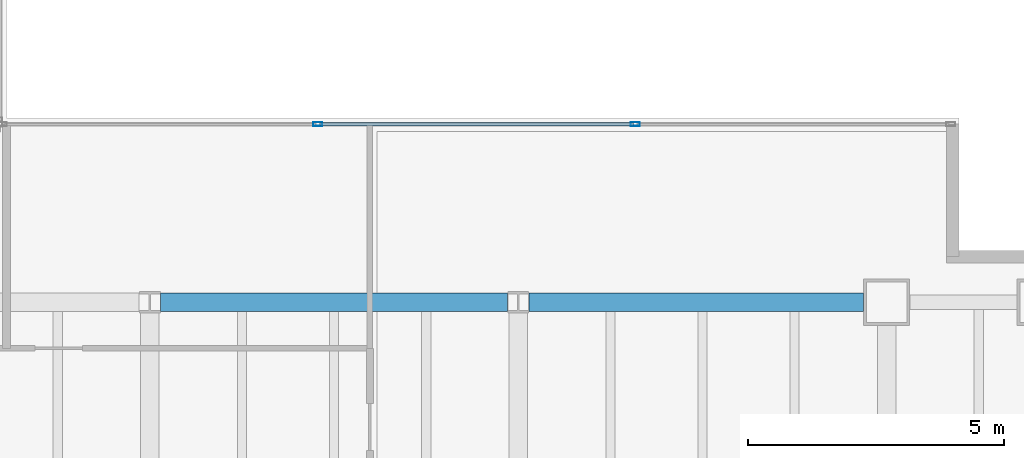
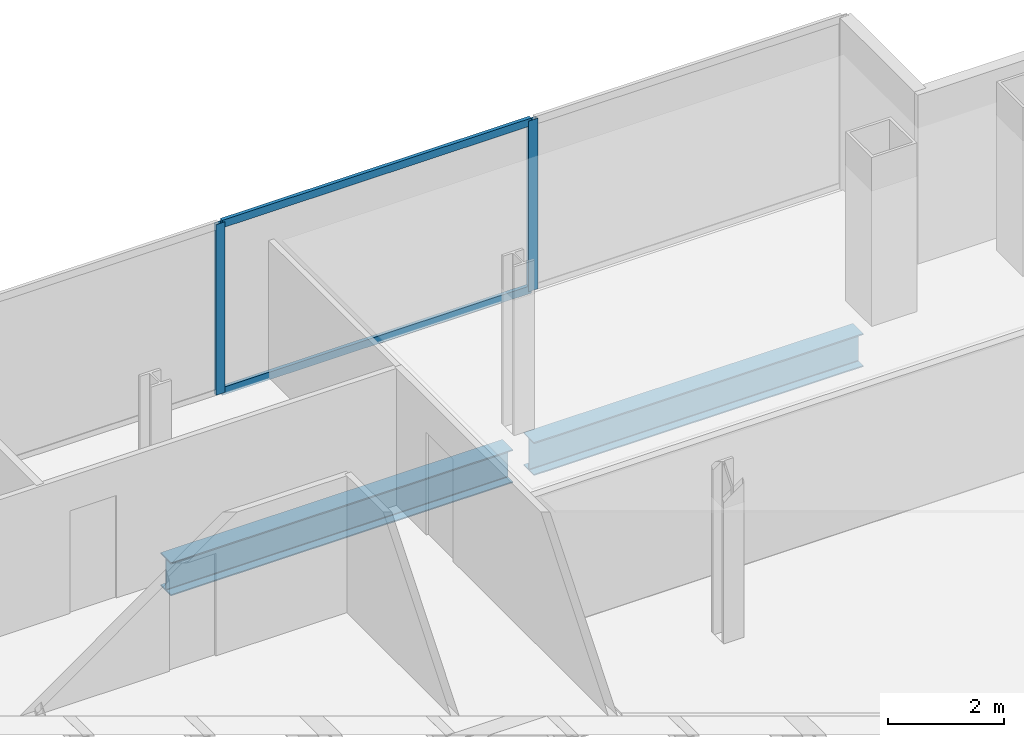
# One storey, part 14 of 23: 4 members, 2 beams, 1 element without a shape of its own.
"""IFC4 building model written with IfcOpenShell, lengths in metres."""

from ifc_helpers import new_model, si_unit, direction, frame, origin, origin_2d, place, context, subcontext, project, spatial, hollow_rectangle, i_section, extrude, material, material_profile, profile_set, type_object, element, aggregate, save


model = new_model("IFC4")

# Units and contexts
model_context = context("Model", 3, precision=1e-05, world=origin(), true_north=direction((0.0, 1.0)))
body_context = subcontext(model_context, "Body", "Model", "MODEL_VIEW")
ifc_project = project(units=[si_unit("LENGTHUNIT", "METRE"), si_unit("AREAUNIT", "SQUARE_METRE"), si_unit("VOLUMEUNIT", "CUBIC_METRE"), si_unit("PLANEANGLEUNIT", "RADIAN"), si_unit("MASSUNIT", "GRAM", prefix="KILO")], contexts=[model_context])

# Site, building, storey
site_placement = place(None, origin())
site = spatial("IfcSite", under=ifc_project, at=site_placement, CompositionType="ELEMENT")
building_placement = place(site_placement, origin())
building = spatial("IfcBuilding", under=site, at=building_placement, Name="Cobrela Telecom Tower", CompositionType="ELEMENT")
storey_placement = place(building_placement, frame((0.0, 0.0, 140.699951171875)))
storey = spatial("IfcBuildingStorey", under=building, at=storey_placement, Name="L35", CompositionType="ELEMENT", Elevation=140.699951171875)

# Beams
ifc_material_1 = material(Name="Steel ASTM A992 Grade 50", Category="steel")
ifc_material_profile_1 = material_profile(ifc_material_1, i_section(OverallWidth=0.35595703125, OverallDepth=0.696044921875, WebThickness=0.015380859375, FlangeThickness=0.024658203125, FilletRadius=0.01806640625, at=origin_2d()), Name="W27X146")
ifc_profile_set_1 = profile_set([ifc_material_profile_1], Name="Steel ASTM A992 Grade 50")
beam_type = type_object("IfcBeamType", Name="BM-GIRD-05", PredefinedType="USERDEFINED", material=ifc_profile_set_1)
beam_1_placement = place(storey_placement, frame((29.009521484375, 21.60009765625, -0.617919921875), z_axis=(1.0, 0.0, 0.0), x_axis=(0.0, 1.0, 0.0)))
element("IfcBeam", 1, at=beam_1_placement, inside=storey, type_object=beam_type, Name="L35 Primary Girder X20", ObjectType="GIRDER", PredefinedType="USERDEFINED", context=body_context, shape_type="SweptSolid", body=[
    extrude(i_section(OverallWidth=0.35595703125, OverallDepth=0.696044921875, WebThickness=0.015380859375, FlangeThickness=0.024658203125, FilletRadius=0.01806640625, at=origin_2d()), origin(), (0.0, 0.0, 1.0), 6.781005859375),
])
beam_2_placement = place(storey_placement, frame((36.20947265625, 21.60009765625, -0.617919921875), z_axis=(1.0, 0.0, 0.0), x_axis=(0.0, 1.0, 0.0)))
element("IfcBeam", 2, at=beam_2_placement, inside=storey, type_object=beam_type, Name="L35 Primary Girder X21", ObjectType="GIRDER", PredefinedType="USERDEFINED", context=body_context, shape_type="SweptSolid", body=[
    extrude(i_section(OverallWidth=0.35595703125, OverallDepth=0.696044921875, WebThickness=0.015380859375, FlangeThickness=0.024658203125, FilletRadius=0.01806640625, at=origin_2d()), origin(), (0.0, 0.0, 1.0), 6.53564453125),
])

# Curtain wall, members
ifc_material_2 = material(Name="Anodized Bronze Aluminium 6063-T6", Category="aluminium")
curtain_wall_type = type_object("IfcCurtainWallType", Name="CW-SYS-TEL", PredefinedType="USERDEFINED", material=ifc_material_2)
curtain_wall_placement = place(storey_placement, origin())
curtain_wall = element("IfcCurtainWall", 3, at=curtain_wall_placement, inside=storey, type_object=curtain_wall_type, Name="L35 Unitised Bronze Curtain Wall 11", ObjectType="UNITISED CURTAIN WALL", PredefinedType="USERDEFINED")
ifc_material_profile_2 = material_profile(ifc_material_2, hollow_rectangle(XDim=0.074951171875, YDim=0.179931640625, WallThickness=0.00390625, at=origin_2d()), Name="ALU 75x180x4")
ifc_profile_set_2 = profile_set([ifc_material_profile_2], Name="Anodized Bronze Aluminium 6063-T6")
member_type_1 = type_object("IfcMemberType", Name="CW-SYS-TEL-MUL", PredefinedType="MULLION", material=ifc_profile_set_2)
member_1_placement = place(storey_placement, frame((32.083251953125, 25.080078125, 0.0), z_axis=(0.0, 0.0, 1.0), x_axis=(0.0, 1.0, 0.0)))
member_1 = element("IfcMember", 4, at=member_1_placement, type_object=member_type_1, Name="CW-TEL mullion 2", PredefinedType="MULLION", context=body_context, shape_type="SweptSolid", body=[
    extrude(hollow_rectangle(XDim=0.074951171875, YDim=0.179931640625, WallThickness=0.00390625, at=origin_2d()), origin(), (0.0, 0.0, 1.0), 3.580078125),
])
member_2_placement = place(storey_placement, frame((38.28662109375, 25.080078125, 0.0), z_axis=(0.0, 0.0, 1.0), x_axis=(0.0, 1.0, 0.0)))
member_2 = element("IfcMember", 5, at=member_2_placement, type_object=member_type_1, Name="CW-TEL mullion 3", PredefinedType="MULLION", context=body_context, shape_type="SweptSolid", body=[
    extrude(hollow_rectangle(XDim=0.074951171875, YDim=0.179931640625, WallThickness=0.00390625, at=origin_2d()), origin(), (0.0, 0.0, 1.0), 3.580078125),
])
ifc_material_profile_3 = material_profile(ifc_material_2, hollow_rectangle(XDim=0.070068359375, YDim=0.159912109375, WallThickness=0.00390625, at=origin_2d()), Name="ALU 70x160x4")
ifc_profile_set_3 = profile_set([ifc_material_profile_3], Name="Anodized Bronze Aluminium 6063-T6")
member_type_2 = type_object("IfcMemberType", Name="CW-SYS-TEL-TRN", PredefinedType="USERDEFINED", material=ifc_profile_set_3)
member_3_placement = place(storey_placement, frame((32.120849609375, 25.080078125, 0.03515625), z_axis=(1.0, 0.0, 0.0), x_axis=(0.0, 1.0, 0.0)))
member_3 = element("IfcMember", 6, at=member_3_placement, type_object=member_type_2, Name="CW-TEL transom 2.1", ObjectType="TRANSOM", PredefinedType="USERDEFINED", context=body_context, shape_type="SweptSolid", body=[
    extrude(hollow_rectangle(XDim=0.070068359375, YDim=0.159912109375, WallThickness=0.00390625, at=origin_2d()), origin(), (0.0, 0.0, 1.0), 6.12841796875),
])
member_4_placement = place(storey_placement, frame((32.120849609375, 25.080078125, 3.545166015625), z_axis=(1.0, 0.0, 0.0), x_axis=(0.0, 1.0, 0.0)))
member_4 = element("IfcMember", 7, at=member_4_placement, type_object=member_type_2, Name="CW-TEL transom 2.2", ObjectType="TRANSOM", PredefinedType="USERDEFINED", context=body_context, shape_type="SweptSolid", body=[
    extrude(hollow_rectangle(XDim=0.070068359375, YDim=0.159912109375, WallThickness=0.00390625, at=origin_2d()), origin(), (0.0, 0.0, 1.0), 6.12841796875),
])
aggregate(curtain_wall, [member_1, member_2, member_3, member_4])

save(model, "model.ifc")
